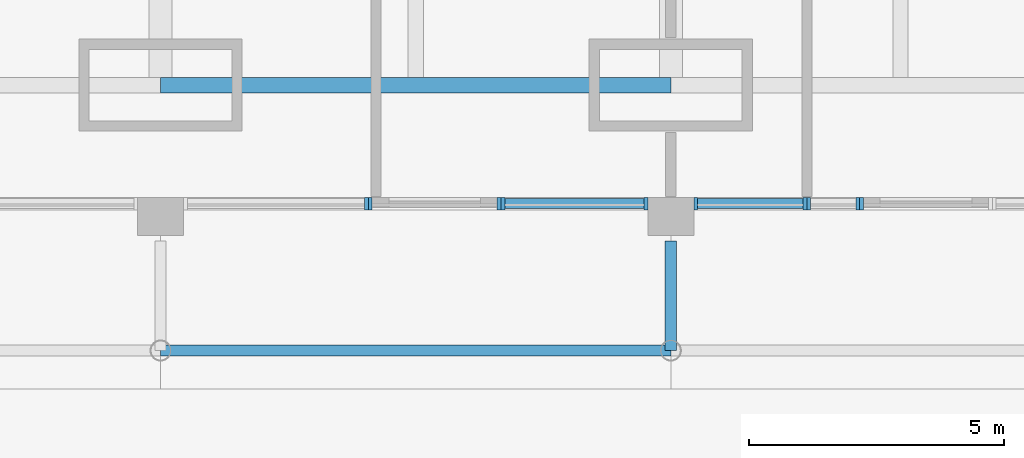
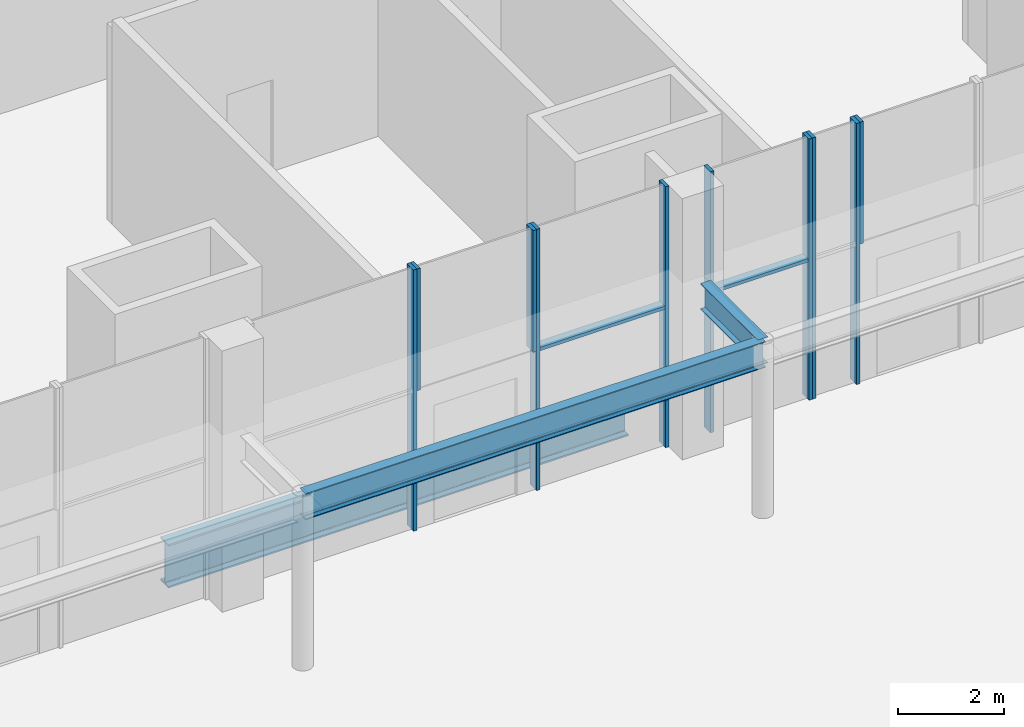
# One storey, part 7 of 31: 12 members, 3 beams, 6 elements without a shape of their own.
"""IFC4 building model written with IfcOpenShell, lengths in metres."""

import ifcopenshell
import ifcopenshell.guid

model = None  # the IFC model being written
_history = None  # IfcOwnerHistory: only IFC2X3 demands one
_inside = {}  # id of a spatial element -> (the spatial element, [elements in it])
_under = {}  # id of a project, library or spatial element -> (it, [spatial elements below it])
_declared = {}  # id of a project -> (the project, [libraries it declares])
_typed = {}  # id of a type object -> (the type object, [elements of that type])
_made_of = {}  # id of a material, layer set ... -> (it, [elements and type objects made of it])


def new_model(schema):
    """Start an empty IFC model of exactly this schema.

    Asked for "IFC4X3", IfcOpenShell would pick the latest addendum, in which some entities
    have other attributes; the version numbers below select the first issue.
    IFC2X3 requires an IfcOwnerHistory on every rooted entity: one is made here for all.
    """
    global model, _history
    if schema == "IFC4X3":
        model = ifcopenshell.file(schema_version=(4, 3, 0, 0))
    else:
        model = ifcopenshell.file(schema=schema)
    _inside.clear()
    _under.clear()
    _declared.clear()
    _typed.clear()
    _made_of.clear()
    _history = None
    if model.schema == "IFC2X3":
        org = make("IfcOrganization", Name="unknown")
        user = make(
            "IfcPersonAndOrganization",
            ThePerson=make("IfcPerson", FamilyName="unknown"),
            TheOrganization=org,
        )
        app = make(
            "IfcApplication",
            ApplicationDeveloper=org,
            Version="unknown",
            ApplicationFullName="unknown",
            ApplicationIdentifier="unknown",
        )
        _history = make(
            "IfcOwnerHistory",
            OwningUser=user,
            OwningApplication=app,
            ChangeAction="ADDED",
            CreationDate=0,
        )
    return model


def make(cls, **values):
    """One entity of the class cls with the attributes given. An attribute that is None is left unset."""
    return model.create_entity(
        cls, **{name: value for name, value in values.items() if value is not None}
    )


def rooted(cls, **values):
    """An entity with a GlobalId (a new one), such as an element, a storey or a relation."""
    return make(cls, GlobalId=ifcopenshell.guid.new(), OwnerHistory=_history, **values)


def si_unit(unit_type, name, prefix=None):
    """IfcSIUnit, for example si_unit("LENGTHUNIT", "METRE", prefix="MILLI")."""
    return make("IfcSIUnit", UnitType=unit_type, Prefix=prefix, Name=name)


def assignment(units):
    """IfcUnitAssignment: the units of a project."""
    return None if units is None else make("IfcUnitAssignment", Units=units)


def point(xyz):
    """IfcCartesianPoint."""
    return None if xyz is None else make("IfcCartesianPoint", Coordinates=xyz)


def direction(xyz):
    """IfcDirection."""
    return None if xyz is None else make("IfcDirection", DirectionRatios=xyz)


def frame(location, z_axis=None, x_axis=None):
    """IfcAxis2Placement3D, a coordinate frame: its origin and axes. An axis left out is left unset."""
    return make(
        "IfcAxis2Placement3D",
        Location=point(location),
        Axis=direction(z_axis),
        RefDirection=direction(x_axis),
    )


def frame_2d(location, x_axis=None):
    """IfcAxis2Placement2D, a coordinate frame in the plane: its origin and x axis."""
    return make(
        "IfcAxis2Placement2D", Location=point(location), RefDirection=direction(x_axis)
    )


def origin():
    """The frame at (0, 0, 0) with its axes left unset."""
    return frame((0.0, 0.0, 0.0))


def origin_2d():
    """The frame at (0, 0) in the plane with its x axis left unset."""
    return frame_2d((0.0, 0.0))


def place(relative_to, where):
    """IfcLocalPlacement: puts the frame where relative to a parent placement (None: the world)."""
    return make(
        "IfcLocalPlacement", PlacementRelTo=relative_to, RelativePlacement=where
    )


def context(
    kind, dimensions, precision=None, world=None, true_north=None, identifier=None
):
    """IfcGeometricRepresentationContext, for example the 3D "Model" context."""
    return make(
        "IfcGeometricRepresentationContext",
        ContextIdentifier=identifier,
        ContextType=kind,
        CoordinateSpaceDimension=dimensions,
        Precision=precision,
        WorldCoordinateSystem=world,
        TrueNorth=true_north,
    )


def subcontext(parent, identifier, kind, view, scale=None):
    """IfcGeometricRepresentationSubContext, for example "Body" below "Model"."""
    return make(
        "IfcGeometricRepresentationSubContext",
        ContextIdentifier=identifier,
        ContextType=kind,
        ParentContext=parent,
        TargetScale=scale,
        TargetView=view,
    )


def project(units=None, contexts=None):
    """IfcProject with its units and contexts."""
    return rooted(
        "IfcProject",
        Name="project",
        RepresentationContexts=contexts,
        UnitsInContext=assignment(units),
    )


def spatial(cls, under=None, at=None, **own):
    """A site, building, storey or space (cls), placed at a placement, below another one or the project."""
    s = rooted(cls, ObjectPlacement=at, **own)
    if under is not None:
        _under.setdefault(under.id(), (under, []))[1].append(s)
    return s


def profile(cls, at=None, kind="AREA", **sizes):
    """A parametric profile (cls). Its sizes go by their IFC names, for example OverallWidth=200.0."""
    return make(cls, ProfileType=kind, Position=at, **sizes)


def rectangle(**sizes):
    """IfcRectangleProfileDef."""
    return profile("IfcRectangleProfileDef", **sizes)


def i_section(**sizes):
    """IfcIShapeProfileDef."""
    return profile("IfcIShapeProfileDef", **sizes)


def extrude(swept, where, along, depth):
    """IfcExtrudedAreaSolid: the profile swept, set in the frame where, extruded along a direction by depth."""
    return make(
        "IfcExtrudedAreaSolid",
        SweptArea=swept,
        Position=where,
        ExtrudedDirection=direction(along),
        Depth=depth,
    )


def shape(context_of_items, identifier, shape_type, items):
    """IfcShapeRepresentation: the items that make up one representation, for example the "Body"."""
    return make(
        "IfcShapeRepresentation",
        ContextOfItems=context_of_items,
        RepresentationIdentifier=identifier,
        RepresentationType=shape_type,
        Items=items,
    )


def material(Name=None, Category=None):
    """IfcMaterial."""
    return make("IfcMaterial", Name=Name, Category=Category)


def material_profile(
    of_material, cross_section, Name=None, Category=None, Priority=None
):
    """IfcMaterialProfile: a cross section and its material."""
    return make(
        "IfcMaterialProfile",
        Name=Name,
        Material=of_material,
        Profile=cross_section,
        Priority=Priority,
        Category=Category,
    )


def profile_set(profiles, Name=None, composite=None):
    """IfcMaterialProfileSet."""
    return make(
        "IfcMaterialProfileSet",
        Name=Name,
        MaterialProfiles=profiles,
        CompositeProfile=composite,
    )


def made_of(thing, what):
    """Note that an element or type object is made of a material, layer set ...; save() writes the relation."""
    if what is not None:
        _made_of.setdefault(what.id(), (what, []))[1].append(thing)
    return thing


def type_object(cls, material=None, **own):
    """A type object (cls), such as IfcWallType, which elements share."""
    return made_of(rooted(cls, **own), material)


def element(
    cls,
    number,
    at=None,
    inside=None,
    cuts=None,
    type_object=None,
    material=None,
    context=None,
    identifier="Body",
    shape_type=None,
    held_by="IfcProductDefinitionShape",
    body=None,
    shapes=None,
    **own,
):
    """One element of the class cls, such as IfcWall. Its Tag is "e" and its number.

    at: its placement. inside: the storey or other place that contains it. cuts: it is an
    opening in that element (IfcRelVoidsElement). A single representation is given by context,
    identifier, shape_type and body (its items); several are given by shapes. held_by: the class
    of the entity that holds the representations. save() writes the other relations.
    """
    e = rooted(cls, Tag="e%d" % number, ObjectPlacement=at, **own)
    if body is not None:
        shapes = [shape(context, identifier, shape_type, body)]
    if shapes is not None:
        e.Representation = make(held_by, Representations=shapes)
    if inside is not None:
        _inside.setdefault(inside.id(), (inside, []))[1].append(e)
    if cuts is not None:
        rooted(
            "IfcRelVoidsElement", RelatingBuildingElement=cuts, RelatedOpeningElement=e
        )
    if type_object is not None:
        _typed.setdefault(type_object.id(), (type_object, []))[1].append(e)
    return made_of(e, material)


def aggregate(whole, parts):
    """IfcRelAggregates: a whole, such as a stair, and the parts it consists of."""
    return rooted("IfcRelAggregates", RelatingObject=whole, RelatedObjects=parts)


def save(model, path):
    """Write the relations noted so far, then the file.

    IfcRelAggregates (storeys below a building ...), IfcRelContainedInSpatialStructure (elements
    in a storey), IfcRelDefinesByType, IfcRelAssociatesMaterial and IfcRelDeclares: one each for
    every whole, place, type object, material and project.
    """
    for whole, parts in _under.values():
        aggregate(whole, parts)
    for where, things in _inside.values():
        rooted(
            "IfcRelContainedInSpatialStructure",
            RelatedElements=things,
            RelatingStructure=where,
        )
    for kind, things in _typed.values():
        rooted("IfcRelDefinesByType", RelatedObjects=things, RelatingType=kind)
    for what, things in _made_of.values():
        rooted("IfcRelAssociatesMaterial", RelatedObjects=things, RelatingMaterial=what)
    for by, libraries in _declared.values():
        rooted("IfcRelDeclares", RelatingContext=by, RelatedDefinitions=libraries)
    model.write(path)


model = new_model("IFC4")

# Units and contexts
model_context = context("Model", 3, precision=1e-05, world=origin(), true_north=direction((0.0, 1.0)))
body_context = subcontext(model_context, "Body", "Model", "MODEL_VIEW")
ifc_project = project(units=[si_unit("LENGTHUNIT", "METRE"), si_unit("AREAUNIT", "SQUARE_METRE"), si_unit("VOLUMEUNIT", "CUBIC_METRE"), si_unit("PLANEANGLEUNIT", "RADIAN"), si_unit("MASSUNIT", "GRAM", prefix="KILO")], contexts=[model_context])

# Site, building, storey
site_placement = place(None, origin())
site = spatial("IfcSite", under=ifc_project, at=site_placement, CompositionType="ELEMENT")
building_placement = place(site_placement, origin())
building = spatial("IfcBuilding", under=site, at=building_placement, Name="Khuree Lantern Residences", CompositionType="ELEMENT")
storey_placement = place(building_placement, origin())
storey = spatial("IfcBuildingStorey", under=building, at=storey_placement, Name="L00", CompositionType="ELEMENT", Elevation=0.0)

# Beams
ifc_material_1 = material(Name="Steel S355", Category="steel")
ifc_material_profile_1 = material_profile(ifc_material_1, i_section(OverallWidth=0.219970703125, OverallDepth=0.60009765625, WebThickness=0.011962890625, FlangeThickness=0.01904296875, FilletRadius=0.02392578125, at=origin_2d()), Name="IPE 600")
ifc_profile_set_1 = profile_set([ifc_material_profile_1], Name="Steel S355")
beam_type_1 = type_object("IfcBeamType", Name="CB1 CANOPY BEAM IPE 600", PredefinedType="BEAM", material=ifc_profile_set_1)
beam_1_placement = place(storey_placement, frame((10.0, -35.0, 3.699951171875), z_axis=(0.0, 1.0, 0.0), x_axis=(-1.0, 0.0, 0.0)))
element("IfcBeam", 1, at=beam_1_placement, inside=storey, type_object=beam_type_1, Name="SOUTH FACE CANOPY ARM 3", PredefinedType="BEAM", context=body_context, shape_type="SweptSolid", body=[
    extrude(i_section(OverallWidth=0.219970703125, OverallDepth=0.60009765625, WebThickness=0.011962890625, FlangeThickness=0.01904296875, FilletRadius=0.02392578125, at=origin_2d()), origin(), (0.0, 0.0, 1.0), 2.14990234375),
])
beam_2_placement = place(storey_placement, frame((0.0, -35.0, 3.699951171875), z_axis=(1.0, 0.0, 0.0), x_axis=(0.0, 1.0, 0.0)))
element("IfcBeam", 2, at=beam_2_placement, inside=storey, type_object=beam_type_1, Name="SOUTH FACE BAY 5 CANOPY FRONT BEAM", PredefinedType="BEAM", context=body_context, shape_type="SweptSolid", body=[
    extrude(i_section(OverallWidth=0.219970703125, OverallDepth=0.60009765625, WebThickness=0.011962890625, FlangeThickness=0.01904296875, FilletRadius=0.02392578125, at=origin_2d()), origin(), (0.0, 0.0, 1.0), 10.0),
])
ifc_material_profile_2 = material_profile(ifc_material_1, i_section(OverallWidth=0.300048828125, OverallDepth=1.0, WebThickness=0.01904296875, FlangeThickness=0.035888671875, FilletRadius=0.030029296875, at=origin_2d()), Name="HE 1000 B")
ifc_profile_set_2 = profile_set([ifc_material_profile_2], Name="Steel S355")
beam_type_2 = type_object("IfcBeamType", Name="E-00 SPANDREL BEAM HE 1000 B", PredefinedType="SPANDREL", material=ifc_profile_set_2)
beam_3_placement = place(storey_placement, frame((10.0, -29.800048828125, -0.800048828125), z_axis=(-1.0, 0.0, 0.0), x_axis=(0.0, -1.0, 0.0)))
element("IfcBeam", 3, at=beam_3_placement, inside=storey, type_object=beam_type_2, Name="Spandrel beam S3", PredefinedType="SPANDREL", context=body_context, shape_type="SweptSolid", body=[
    extrude(i_section(OverallWidth=0.300048828125, OverallDepth=1.0, WebThickness=0.01904296875, FlangeThickness=0.035888671875, FilletRadius=0.030029296875, at=origin_2d()), origin(), (0.0, 0.0, 1.0), 10.0),
])

# Curtain wall, member
ifc_material_2 = material(Name="Bronze anodised aluminium", Category="aluminium")
curtain_wall_type = type_object("IfcCurtainWallType", Name="CW-P PODIUM STOREFRONT CURTAIN WALL", PredefinedType="USERDEFINED", material=ifc_material_2)
curtain_wall_1_placement = place(storey_placement, origin())
curtain_wall_1 = element("IfcCurtainWall", 4, at=curtain_wall_1_placement, inside=storey, type_object=curtain_wall_type, Name="L00 SOUTH FACE BAY 5 LEFT STOREFRONT", ObjectType="Storefront curtain wall", PredefinedType="USERDEFINED")
ifc_material_profile_3 = material_profile(ifc_material_2, rectangle(XDim=0.074951171875, YDim=0.25, at=origin_2d()), Name="M5 75X250")
ifc_profile_set_3 = profile_set([ifc_material_profile_3], Name="Bronze anodised aluminium")
member_type_1 = type_object("IfcMemberType", Name="MULLION M5 STOREFRONT 75X250", PredefinedType="MULLION", material=ifc_profile_set_3)
member_1_placement = place(storey_placement, frame((4.034423828125, -32.125, 0.0), z_axis=(0.0, 0.0, 1.0), x_axis=(1.0, 0.0, 0.0)))
member_1 = element("IfcMember", 5, at=member_1_placement, type_object=member_type_1, Name="L00 SOUTH FACE BAY 5 LEFT MULLION 2", PredefinedType="MULLION", context=body_context, shape_type="SweptSolid", body=[
    extrude(rectangle(XDim=0.074951171875, YDim=0.25, at=origin_2d()), origin(), (0.0, 0.0, 1.0), 6.0),
])
aggregate(curtain_wall_1, [member_1])

# Curtain wall, members
curtain_wall_2_placement = place(storey_placement, origin())
curtain_wall_2 = element("IfcCurtainWall", 6, at=curtain_wall_2_placement, inside=storey, type_object=curtain_wall_type, Name="L00 SOUTH FACE BAY 5 RIGHT STOREFRONT", ObjectType="Storefront curtain wall", PredefinedType="USERDEFINED")
member_2_placement = place(storey_placement, frame((6.70947265625, -32.125, 0.0), z_axis=(0.0, 0.0, 1.0), x_axis=(1.0, 0.0, 0.0)))
member_2 = element("IfcMember", 7, at=member_2_placement, type_object=member_type_1, Name="L00 SOUTH FACE BAY 5 RIGHT MULLION 1", PredefinedType="MULLION", context=body_context, shape_type="SweptSolid", body=[
    extrude(rectangle(XDim=0.074951171875, YDim=0.25, at=origin_2d()), origin(), (0.0, 0.0, 1.0), 6.0),
])
member_3_placement = place(storey_placement, frame((9.512451171875, -32.125, 0.0), z_axis=(0.0, 0.0, 1.0), x_axis=(1.0, 0.0, 0.0)))
member_3 = element("IfcMember", 8, at=member_3_placement, type_object=member_type_1, Name="L00 SOUTH FACE BAY 5 RIGHT MULLION 2", PredefinedType="MULLION", context=body_context, shape_type="SweptSolid", body=[
    extrude(rectangle(XDim=0.074951171875, YDim=0.25, at=origin_2d()), origin(), (0.0, 0.0, 1.0), 6.0),
])

curtain_wall_3_placement = place(storey_placement, origin())
curtain_wall_3 = element("IfcCurtainWall", 9, at=curtain_wall_3_placement, inside=storey, type_object=curtain_wall_type, Name="L00 SOUTH FACE BAY 5 CLERESTORY STOREFRONT", ObjectType="Storefront curtain wall", PredefinedType="USERDEFINED")
member_4_placement = place(storey_placement, frame((4.109619140625, -32.125, 3.199951171875), z_axis=(0.0, 0.0, 1.0), x_axis=(1.0, 0.0, 0.0)))
member_4 = element("IfcMember", 10, at=member_4_placement, type_object=member_type_1, Name="L00 SOUTH FACE BAY 5 CLERESTORY MULLION 1", PredefinedType="MULLION", context=body_context, shape_type="SweptSolid", body=[
    extrude(rectangle(XDim=0.074951171875, YDim=0.25, at=origin_2d()), origin(), (0.0, 0.0, 1.0), 2.800048828125),
])
member_5_placement = place(storey_placement, frame((6.634521484375, -32.125, 3.199951171875), z_axis=(0.0, 0.0, 1.0), x_axis=(1.0, 0.0, 0.0)))
member_5 = element("IfcMember", 11, at=member_5_placement, type_object=member_type_1, Name="L00 SOUTH FACE BAY 5 CLERESTORY MULLION 2", PredefinedType="MULLION", context=body_context, shape_type="SweptSolid", body=[
    extrude(rectangle(XDim=0.074951171875, YDim=0.25, at=origin_2d()), origin(), (0.0, 0.0, 1.0), 2.800048828125),
])
aggregate(curtain_wall_3, [member_4, member_5])

curtain_wall_4_placement = place(storey_placement, origin())
curtain_wall_4 = element("IfcCurtainWall", 12, at=curtain_wall_4_placement, inside=storey, type_object=curtain_wall_type, Name="L00 SOUTH FACE BAY 6 LEFT 1 STOREFRONT", ObjectType="Storefront curtain wall", PredefinedType="USERDEFINED")
member_6_placement = place(storey_placement, frame((10.487548828125, -32.125, 0.0), z_axis=(0.0, 0.0, 1.0), x_axis=(1.0, 0.0, 0.0)))
member_6 = element("IfcMember", 13, at=member_6_placement, type_object=member_type_1, Name="L00 SOUTH FACE BAY 6 LEFT 1 MULLION 1", PredefinedType="MULLION", context=body_context, shape_type="SweptSolid", body=[
    extrude(rectangle(XDim=0.074951171875, YDim=0.25, at=origin_2d()), origin(), (0.0, 0.0, 1.0), 6.0),
])
member_7_placement = place(storey_placement, frame((12.629150390625, -32.125, 0.0), z_axis=(0.0, 0.0, 1.0), x_axis=(1.0, 0.0, 0.0)))
member_7 = element("IfcMember", 14, at=member_7_placement, type_object=member_type_1, Name="L00 SOUTH FACE BAY 6 LEFT 1 MULLION 2", PredefinedType="MULLION", context=body_context, shape_type="SweptSolid", body=[
    extrude(rectangle(XDim=0.074951171875, YDim=0.25, at=origin_2d()), origin(), (0.0, 0.0, 1.0), 6.0),
])

curtain_wall_5_placement = place(storey_placement, origin())
curtain_wall_5 = element("IfcCurtainWall", 15, at=curtain_wall_5_placement, inside=storey, type_object=curtain_wall_type, Name="L00 SOUTH FACE BAY 6 LEFT 2 STOREFRONT", ObjectType="Storefront curtain wall", PredefinedType="USERDEFINED")
member_8_placement = place(storey_placement, frame((12.7041015625, -32.125, 0.0), z_axis=(0.0, 0.0, 1.0), x_axis=(1.0, 0.0, 0.0)))
member_8 = element("IfcMember", 16, at=member_8_placement, type_object=member_type_1, Name="L00 SOUTH FACE BAY 6 LEFT 2 MULLION 1", PredefinedType="MULLION", context=body_context, shape_type="SweptSolid", body=[
    extrude(rectangle(XDim=0.074951171875, YDim=0.25, at=origin_2d()), origin(), (0.0, 0.0, 1.0), 6.0),
])
member_9_placement = place(storey_placement, frame((13.66259765625, -32.125, 0.0), z_axis=(0.0, 0.0, 1.0), x_axis=(1.0, 0.0, 0.0)))
member_9 = element("IfcMember", 17, at=member_9_placement, type_object=member_type_1, Name="L00 SOUTH FACE BAY 6 LEFT 2 MULLION 2", PredefinedType="MULLION", context=body_context, shape_type="SweptSolid", body=[
    extrude(rectangle(XDim=0.074951171875, YDim=0.25, at=origin_2d()), origin(), (0.0, 0.0, 1.0), 6.0),
])
aggregate(curtain_wall_5, [member_8, member_9])

# Curtain wall, member
curtain_wall_6_placement = place(storey_placement, origin())
curtain_wall_6 = element("IfcCurtainWall", 18, at=curtain_wall_6_placement, inside=storey, type_object=curtain_wall_type, Name="L00 SOUTH FACE BAY 6 CLERESTORY STOREFRONT", ObjectType="Storefront curtain wall", PredefinedType="USERDEFINED")
member_10_placement = place(storey_placement, frame((13.737548828125, -32.125, 3.199951171875), z_axis=(0.0, 0.0, 1.0), x_axis=(1.0, 0.0, 0.0)))
member_10 = element("IfcMember", 19, at=member_10_placement, type_object=member_type_1, Name="L00 SOUTH FACE BAY 6 CLERESTORY MULLION 1", PredefinedType="MULLION", context=body_context, shape_type="SweptSolid", body=[
    extrude(rectangle(XDim=0.074951171875, YDim=0.25, at=origin_2d()), origin(), (0.0, 0.0, 1.0), 2.800048828125),
])
aggregate(curtain_wall_6, [member_10])

# Member
ifc_material_profile_4 = material_profile(ifc_material_2, rectangle(XDim=0.199951171875, YDim=0.074951171875, at=origin_2d()), Name="T5 200X75")
ifc_profile_set_4 = profile_set([ifc_material_profile_4], Name="Bronze anodised aluminium")
member_type_2 = type_object("IfcMemberType", Name="TRANSOM T5 STOREFRONT 200X75", PredefinedType="USERDEFINED", material=ifc_profile_set_4)
member_11_placement = place(storey_placement, frame((6.7470703125, -32.1201171875, 3.199951171875), z_axis=(1.0, 0.0, 0.0), x_axis=(0.0, 1.0, 0.0)))
member_11 = element("IfcMember", 20, at=member_11_placement, type_object=member_type_2, Name="L00 SOUTH FACE BAY 5 RIGHT TRANSOM 1", ObjectType="Transom", PredefinedType="USERDEFINED", context=body_context, shape_type="SweptSolid", body=[
    extrude(rectangle(XDim=0.199951171875, YDim=0.074951171875, at=origin_2d()), origin(), (0.0, 0.0, 1.0), 2.72802734375),
])

aggregate(curtain_wall_2, [member_2, member_3, member_11])

member_12_placement = place(storey_placement, frame((10.52490234375, -32.1201171875, 3.199951171875), z_axis=(1.0, 0.0, 0.0), x_axis=(0.0, 1.0, 0.0)))
member_12 = element("IfcMember", 21, at=member_12_placement, type_object=member_type_2, Name="L00 SOUTH FACE BAY 6 LEFT 1 TRANSOM 1", ObjectType="Transom", PredefinedType="USERDEFINED", context=body_context, shape_type="SweptSolid", body=[
    extrude(rectangle(XDim=0.199951171875, YDim=0.074951171875, at=origin_2d()), origin(), (0.0, 0.0, 1.0), 2.066650390625),
])

aggregate(curtain_wall_4, [member_6, member_7, member_12])

save(model, "model.ifc")
